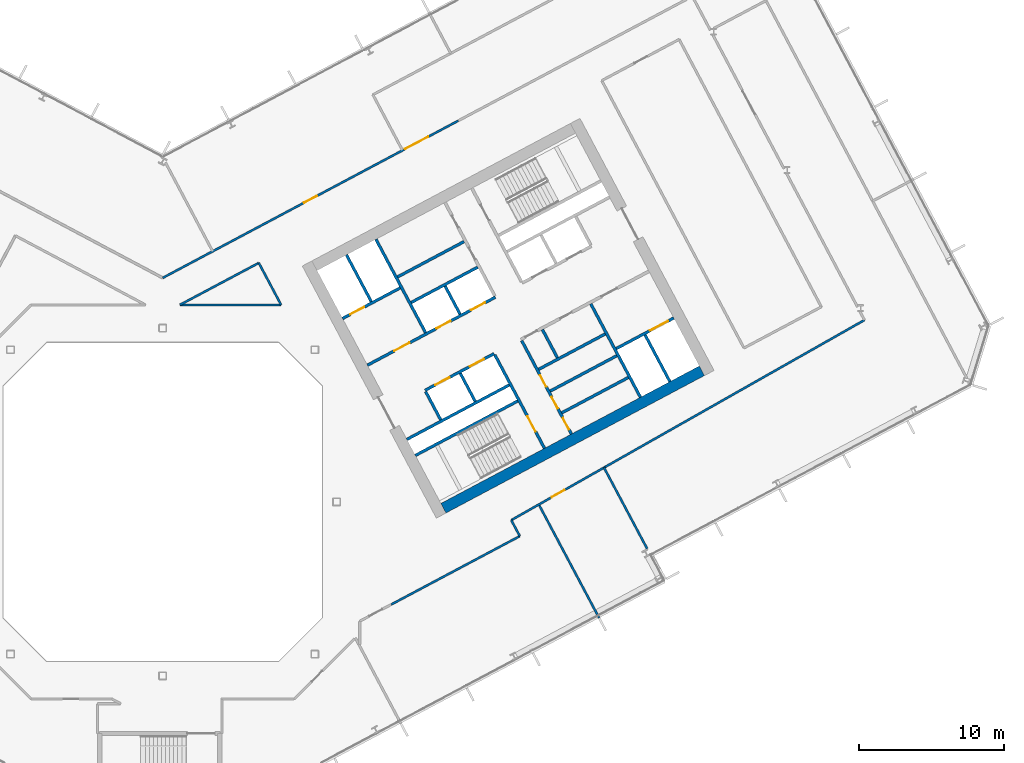
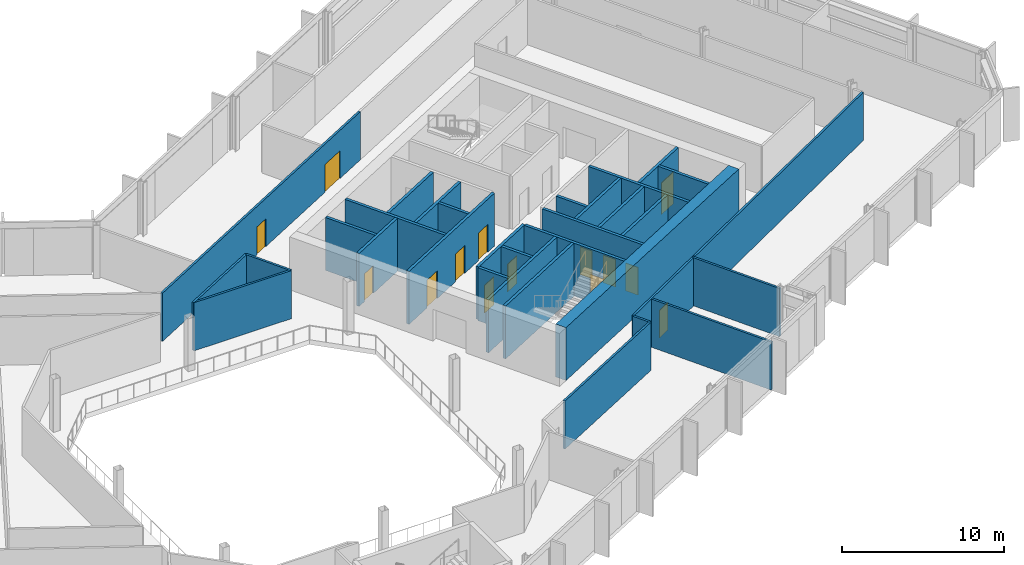
# One storey, part 16 of 28: 32 walls, 14 doors, 14 openings.
"""IFC4 building model written with IfcOpenShell, lengths in metres."""

from ifc_helpers import new_model, si_unit, direction, frame, frame_2d, origin, place, context, subcontext, project, spatial, rectangle, extrude, material, layer, layer_set, type_object, element, fill, save


model = new_model("IFC4")

# Units and contexts
model_context = context("Model", 3, precision=1e-05, world=origin(), true_north=direction((0.0, 1.0)))
body_context = subcontext(model_context, "Body", "Model", "MODEL_VIEW")
ifc_project = project(units=[si_unit("LENGTHUNIT", "METRE"), si_unit("AREAUNIT", "SQUARE_METRE"), si_unit("VOLUMEUNIT", "CUBIC_METRE"), si_unit("PLANEANGLEUNIT", "RADIAN"), si_unit("MASSUNIT", "GRAM", prefix="KILO")], contexts=[model_context])

# Site, building, storey
site_placement = place(None, origin())
site = spatial("IfcSite", under=ifc_project, at=site_placement, CompositionType="ELEMENT")
building_placement = place(site_placement, origin())
building = spatial("IfcBuilding", under=site, at=building_placement, Name="Cormorant Relay Tower", CompositionType="ELEMENT")
storey_placement = place(building_placement, frame((0.0, 0.0, 150.199951171875)))
storey = spatial("IfcBuildingStorey", under=building, at=storey_placement, Name="L31", CompositionType="ELEMENT", Elevation=150.199951171875)

# Walls
ifc_material_1 = material(Name="Concrete 40 MPa", Category="concrete")
ifc_layer_1 = layer(ifc_material_1, 0.199951171875)
ifc_layer_set_1 = layer_set([ifc_layer_1], Name="Core internal wall 200")
wall_type_1 = type_object("IfcWallType", Name="Core internal wall 200", PredefinedType="SOLIDWALL", material=ifc_layer_set_1)
for number, where, z_axis, x_axis, name in (
    (1, (21.567626953125, 6.9375, 0.0), (0.0, 0.0, 1.0), (-0.469533832133, 0.882914480843, 0.0), "L31 core B shaft and room wall"),
    (2, (20.522216796875, 12.950439453125, 0.0), (0.0, 0.0, 1.0), (-0.469401318492, 0.882984938828, 0.0), "L31 core B shaft and room wall"),
    (3, (27.236083984375, 9.951416015625, 0.0), (0.0, 0.0, 1.0), (-0.4694473164, 0.882960484464, 0.0), "L31 core B shaft and room wall"),
):
    element("IfcWall", number, at=place(storey_placement, frame(where, z_axis=z_axis, x_axis=x_axis)), inside=storey, type_object=wall_type_1, Name=name, PredefinedType="SOLIDWALL", context=body_context, shape_type="SweptSolid", body=[
        extrude(rectangle(XDim=2.199951171875, YDim=0.199951171875, at=frame_2d((1.10009765625, 0.0))), origin(), (0.0, 0.0, 1.0), 4.0),
    ])
for number, where, z_axis, x_axis, name in (
    (4, (27.537109375, 6.1474609375, 0.0), (0.0, 0.0, 1.0), (0.882934506056, 0.469496174655, 0.0), "L31 core B shaft and room wall"),
    (5, (26.739013671875, 7.6484375, 0.0), (0.0, 0.0, 1.0), (0.882934506056, 0.469496174655, 0.0), "L31 core B shaft and room wall"),
    (6, (16.2080078125, 15.526611328125, 0.0), (0.0, 0.0, 1.0), (0.882953967957, 0.469459572775, 0.0), "L31 core B shaft and room wall"),
):
    element("IfcWall", number, at=place(storey_placement, frame(where, z_axis=z_axis, x_axis=x_axis)), inside=storey, type_object=wall_type_1, Name=name, PredefinedType="SOLIDWALL", context=body_context, shape_type="SweptSolid", body=[
        extrude(rectangle(XDim=5.199951171875, YDim=0.199951171875, at=frame_2d((2.60009765625, 0.0))), origin(), (0.0, 0.0, 1.0), 4.0),
    ])
ifc_material_2 = material(Name="Concrete 50 MPa", Category="concrete")
ifc_layer_2 = layer(ifc_material_2, 0.199951171875)
ifc_layer_set_2 = layer_set([ifc_layer_2], Name="Core shaft wall 200")
wall_type_2 = type_object("IfcWallType", Name="Core shaft wall 200", PredefinedType="SHEAR", material=ifc_layer_set_2)
wall_1_placement = place(storey_placement, frame((14.39404296875, 13.825927734375, 0.0), z_axis=(0.0, 0.0, 1.0), x_axis=(-0.469494272526, 0.882935517501, 0.0)))
element("IfcWall", 7, at=wall_1_placement, inside=storey, type_object=wall_type_2, Name="L31 core B shaft wall", PredefinedType="SHEAR", context=body_context, shape_type="SweptSolid", body=[
    extrude(rectangle(XDim=3.64990234375, YDim=0.199951171875, at=frame_2d((1.824951171875, 0.0))), origin(), (0.0, 0.0, 1.0), 4.0),
])
wall_2_placement = place(storey_placement, frame((19.18359375, 5.669921875, 0.0), z_axis=(0.0, 0.0, 1.0), x_axis=(-0.4694473164, 0.882960484464, 0.0)))
element("IfcWall", 8, at=wall_2_placement, inside=storey, type_object=wall_type_2, Name="L31 core B shaft wall", PredefinedType="SHEAR", context=body_context, shape_type="SweptSolid", body=[
    extrude(rectangle(XDim=2.199951171875, YDim=0.199951171875, at=frame_2d((1.10009765625, 0.0))), origin(), (0.0, 0.0, 1.0), 4.0),
])
wall_3_placement = place(storey_placement, frame((18.138427734375, 11.682861328125, 0.0), z_axis=(0.0, 0.0, 1.0), x_axis=(-0.469480409012, 0.88294288918, 0.0)))
element("IfcWall", 9, at=wall_3_placement, inside=storey, type_object=wall_type_2, Name="L31 core B shaft wall", PredefinedType="SHEAR", context=body_context, shape_type="SweptSolid", body=[
    extrude(rectangle(XDim=7.300048828125, YDim=0.199951171875, at=frame_2d((3.64990234375, 0.0))), origin(), (0.0, 0.0, 1.0), 4.0),
])

# Wall, opening, door
wall_4_placement = place(storey_placement, frame((26.345947265625, 3.701904296875, 0.0), z_axis=(0.0, 0.0, 1.0), x_axis=(-0.469480409012, 0.88294288918, 0.0)))
wall_4 = element("IfcWall", 10, at=wall_4_placement, inside=storey, type_object=wall_type_2, Name="L31 core B shaft wall", PredefinedType="SHEAR", context=body_context, shape_type="SweptSolid", body=[
    extrude(rectangle(XDim=7.300048828125, YDim=0.199951171875, at=frame_2d((3.64990234375, 0.0))), origin(), (0.0, 0.0, 1.0), 4.0),
])
opening_1_placement = place(wall_4_placement, frame((1.300048828125, 0.0, 0.0)))
opening_1 = element("IfcOpeningElement", 11, at=opening_1_placement, cuts=wall_4, Name="Opening CDB-036", PredefinedType="OPENING", context=body_context, shape_type="SweptSolid", body=[
    extrude(rectangle(XDim=1.199951171875, YDim=2.10009765625, at=frame_2d((0.60009765625, 1.050048828125))), frame((0.0, 0.10986328125, 0.0), z_axis=(0.0, -1.0, 0.0), x_axis=(1.0, 0.0, 0.0)), (0.0, 0.0, 1.0), 0.219970703125),
])
ifc_material_3 = material(Name="Steel fire door", Category="steel")
door_type_1 = type_object("IfcDoorType", Name="Core stair door 1200x2100", OperationType="SINGLE_SWING_LEFT", PredefinedType="DOOR", material=ifc_material_3)
door_1_placement = place(opening_1_placement, origin())
door_1 = element("IfcDoor", 12, at=door_1_placement, inside=storey, type_object=door_type_1, Name="Core stair door 1200x2100", OperationType="SINGLE_SWING_RIGHT", OverallHeight=2.10009765625, OverallWidth=1.199951171875, PredefinedType="DOOR", context=body_context, shape_type="SweptSolid", body=[
    extrude(rectangle(XDim=1.199951171875, YDim=2.10009765625, at=frame_2d((0.60009765625, 1.050048828125))), frame((0.0, 0.02490234375, 0.0), z_axis=(0.0, -1.0, 0.0), x_axis=(1.0, 0.0, 0.0)), (0.0, 0.0, 1.0), 0.050048828125),
])
fill(opening_1, door_1)

# Wall, openings, doors
wall_5_placement = place(storey_placement, frame((28.199951171875, 4.687744140625, 0.0), z_axis=(0.0, 0.0, 1.0), x_axis=(-0.469454336211, 0.882956752176, 0.0)))
wall_5 = element("IfcWall", 13, at=wall_5_placement, inside=storey, type_object=wall_type_2, Name="L31 core B shaft wall", PredefinedType="SHEAR", context=body_context, shape_type="SweptSolid", body=[
    extrude(rectangle(XDim=7.300048828125, YDim=0.199951171875, at=frame_2d((3.64990234375, 0.0))), origin(), (0.0, 0.0, 1.0), 4.0),
])
opening_2_placement = place(wall_5_placement, frame((0.35009765625, 0.0, 0.0)))
opening_2 = element("IfcOpeningElement", 14, at=opening_2_placement, cuts=wall_5, Name="Opening CDD-203", PredefinedType="OPENING", context=body_context, shape_type="SweptSolid", body=[
    extrude(rectangle(XDim=0.89990234375, YDim=2.10009765625, at=frame_2d((0.449951171875, 1.050048828125))), frame((0.0, 0.10986328125, 0.0), z_axis=(0.0, -1.0, 0.0), x_axis=(1.0, 0.0, 0.0)), (0.0, 0.0, 1.0), 0.219970703125),
])
opening_3_placement = place(wall_5_placement, frame((2.0, 0.0, 0.0)))
opening_3 = element("IfcOpeningElement", 15, at=opening_3_placement, cuts=wall_5, Name="Opening CDD-204", PredefinedType="OPENING", context=body_context, shape_type="SweptSolid", body=[
    extrude(rectangle(XDim=0.89990234375, YDim=2.10009765625, at=frame_2d((0.449951171875, 1.050048828125))), frame((0.0, 0.10986328125, 0.0), z_axis=(0.0, -1.0, 0.0), x_axis=(1.0, 0.0, 0.0)), (0.0, 0.0, 1.0), 0.219970703125),
])
opening_4_placement = place(wall_5_placement, frame((3.699951171875, 0.0, 0.0)))
opening_4 = element("IfcOpeningElement", 16, at=opening_4_placement, cuts=wall_5, Name="Opening CDD-205", PredefinedType="OPENING", context=body_context, shape_type="SweptSolid", body=[
    extrude(rectangle(XDim=0.89990234375, YDim=2.10009765625, at=frame_2d((0.449951171875, 1.050048828125))), frame((0.0, 0.10986328125, 0.0), z_axis=(0.0, -1.0, 0.0), x_axis=(1.0, 0.0, 0.0)), (0.0, 0.0, 1.0), 0.219970703125),
])
ifc_material_4 = material(Name="Steel fire door", Category="steel")
door_type_2 = type_object("IfcDoorType", Name="Core room door 900x2100", OperationType="SINGLE_SWING_LEFT", PredefinedType="DOOR", material=ifc_material_4)
door_2_placement = place(opening_2_placement, frame((0.89990234375, 0.0, 0.0), z_axis=(0.0, 0.0, 1.0), x_axis=(-1.0, 0.0, 0.0)))
door_2 = element("IfcDoor", 17, at=door_2_placement, inside=storey, type_object=door_type_2, Name="Core room door 900x2100", OperationType="SINGLE_SWING_LEFT", OverallHeight=2.10009765625, OverallWidth=0.89990234375, PredefinedType="DOOR", context=body_context, shape_type="SweptSolid", body=[
    extrude(rectangle(XDim=0.89990234375, YDim=2.10009765625, at=frame_2d((0.449951171875, 1.050048828125))), frame((0.0, 0.02490234375, 0.0), z_axis=(0.0, -1.0, 0.0), x_axis=(1.0, 0.0, 0.0)), (0.0, 0.0, 1.0), 0.050048828125),
])
fill(opening_2, door_2)
door_3_placement = place(opening_3_placement, frame((0.89990234375, 0.0, 0.0), z_axis=(0.0, 0.0, 1.0), x_axis=(-1.0, 0.0, 0.0)))
door_3 = element("IfcDoor", 18, at=door_3_placement, inside=storey, type_object=door_type_2, Name="Core room door 900x2100", OperationType="SINGLE_SWING_LEFT", OverallHeight=2.10009765625, OverallWidth=0.89990234375, PredefinedType="DOOR", context=body_context, shape_type="SweptSolid", body=[
    extrude(rectangle(XDim=0.89990234375, YDim=2.10009765625, at=frame_2d((0.449951171875, 1.050048828125))), frame((0.0, 0.02490234375, 0.0), z_axis=(0.0, -1.0, 0.0), x_axis=(1.0, 0.0, 0.0)), (0.0, 0.0, 1.0), 0.050048828125),
])
fill(opening_3, door_3)
door_4_placement = place(opening_4_placement, frame((0.89990234375, 0.0, 0.0), z_axis=(0.0, 0.0, 1.0), x_axis=(-1.0, 0.0, 0.0)))
door_4 = element("IfcDoor", 19, at=door_4_placement, inside=storey, type_object=door_type_2, Name="Core room door 900x2100", OperationType="SINGLE_SWING_LEFT", OverallHeight=2.10009765625, OverallWidth=0.89990234375, PredefinedType="DOOR", context=body_context, shape_type="SweptSolid", body=[
    extrude(rectangle(XDim=0.89990234375, YDim=2.10009765625, at=frame_2d((0.449951171875, 1.050048828125))), frame((0.0, 0.02490234375, 0.0), z_axis=(0.0, -1.0, 0.0), x_axis=(1.0, 0.0, 0.0)), (0.0, 0.0, 1.0), 0.050048828125),
])
fill(opening_4, door_4)

# Walls
wall_6_placement = place(storey_placement, frame((32.968017578125, 7.222900390625, 0.0), z_axis=(0.0, 0.0, 1.0), x_axis=(-0.469480409012, 0.88294288918, 0.0)))
element("IfcWall", 20, at=wall_6_placement, inside=storey, type_object=wall_type_2, Name="L31 core B shaft wall", PredefinedType="SHEAR", context=body_context, shape_type="SweptSolid", body=[
    extrude(rectangle(XDim=7.300048828125, YDim=0.199951171875, at=frame_2d((3.64990234375, 0.0))), origin(), (0.0, 0.0, 1.0), 4.0),
])
wall_7_placement = place(storey_placement, frame((34.998779296875, 8.302734375, 0.0), z_axis=(0.0, 0.0, 1.0), x_axis=(-0.4694665462, 0.882950260207, 0.0)))
element("IfcWall", 21, at=wall_7_placement, inside=storey, type_object=wall_type_2, Name="L31 core B shaft wall", PredefinedType="SHEAR", context=body_context, shape_type="SweptSolid", body=[
    extrude(rectangle(XDim=3.650146484375, YDim=0.199951171875, at=frame_2d((1.8251953125, 0.0))), origin(), (0.0, 0.0, 1.0), 4.0),
])
wall_8_placement = place(storey_placement, frame((17.43359375, 3.210205078125, 0.0), z_axis=(0.0, 0.0, 1.0), x_axis=(0.882940221191, 0.469485426614, 0.0)))
element("IfcWall", 22, at=wall_8_placement, inside=storey, type_object=wall_type_2, Name="L31 core B shaft wall", PredefinedType="SHEAR", context=body_context, shape_type="SweptSolid", body=[
    extrude(rectangle(XDim=8.0, YDim=0.199951171875, at=frame_2d((4.0, 0.0))), origin(), (0.0, 0.0, 1.0), 4.0),
])

# Wall, opening, door
wall_9_placement = place(storey_placement, frame((31.295654296875, 10.5810546875, 0.0), z_axis=(0.0, 0.0, 1.0), x_axis=(0.882960433586, 0.469447412093, 0.0)))
wall_9 = element("IfcWall", 23, at=wall_9_placement, inside=storey, type_object=wall_type_2, Name="L31 core B shaft wall", PredefinedType="SHEAR", context=body_context, shape_type="SweptSolid", body=[
    extrude(rectangle(XDim=4.5, YDim=0.199951171875, at=frame_2d((2.25, 0.0))), origin(), (0.0, 0.0, 1.0), 4.0),
])
opening_5_placement = place(wall_9_placement, frame((2.64990234375, 0.0, 0.0)))
opening_5 = element("IfcOpeningElement", 24, at=opening_5_placement, cuts=wall_9, Name="Opening LD3-014", PredefinedType="OPENING", context=body_context, shape_type="SweptSolid", body=[
    extrude(rectangle(XDim=1.39990234375, YDim=2.39990234375, at=frame_2d((0.699951171875, 1.199951171875))), frame((0.0, 0.10986328125, 0.0), z_axis=(0.0, -1.0, 0.0), x_axis=(1.0, 0.0, 0.0)), (0.0, 0.0, 1.0), 0.219970703125),
])
ifc_material_5 = material(Name="Stainless steel 316", Category="steel")
door_type_3 = type_object("IfcDoorType", Name="Lift landing door 1400x2400", OperationType="DOUBLE_DOOR_SLIDING", PredefinedType="DOOR", material=ifc_material_5)
door_5_placement = place(opening_5_placement, origin())
door_5 = element("IfcDoor", 25, at=door_5_placement, inside=storey, type_object=door_type_3, Name="SV2 landing door", OperationType="DOUBLE_DOOR_SLIDING", OverallHeight=2.39990234375, OverallWidth=1.39990234375, PredefinedType="DOOR", context=body_context, shape_type="SweptSolid", body=[
    extrude(rectangle(XDim=1.39990234375, YDim=2.39990234375, at=frame_2d((0.699951171875, 1.199951171875))), frame((0.0, 0.02490234375, 0.0), z_axis=(0.0, -1.0, 0.0), x_axis=(1.0, 0.0, 0.0)), (0.0, 0.0, 1.0), 0.050048828125),
])
fill(opening_5, door_5)

# Walls
wall_10_placement = place(storey_placement, frame((16.8466796875, 4.31396484375, 0.0), z_axis=(0.0, 0.0, 1.0), x_axis=(0.882940221191, 0.469485426614, 0.0)))
element("IfcWall", 26, at=wall_10_placement, inside=storey, type_object=wall_type_2, Name="L31 core B shaft wall", PredefinedType="SHEAR", context=body_context, shape_type="SweptSolid", body=[
    extrude(rectangle(XDim=8.0, YDim=0.199951171875, at=frame_2d((4.0, 0.0))), origin(), (0.0, 0.0, 1.0), 4.0),
])
wall_11_placement = place(storey_placement, frame((25.94091796875, 9.149658203125, 0.0), z_axis=(0.0, 0.0, 1.0), x_axis=(0.882953967957, 0.469459572775, 0.0)))
element("IfcWall", 27, at=wall_11_placement, inside=storey, type_object=wall_type_2, Name="L31 core B shaft wall", PredefinedType="SHEAR", context=body_context, shape_type="SweptSolid", body=[
    extrude(rectangle(XDim=5.199951171875, YDim=0.199951171875, at=frame_2d((2.60009765625, 0.0))), origin(), (0.0, 0.0, 1.0), 4.0),
])

# Wall, openings, doors
wall_12_placement = place(storey_placement, frame((18.103759765625, 7.70068359375, 0.0), z_axis=(0.0, 0.0, 1.0), x_axis=(0.882952937579, 0.469461510692, 0.0)))
wall_12 = element("IfcWall", 28, at=wall_12_placement, inside=storey, type_object=wall_type_2, Name="L31 core B shaft wall", PredefinedType="SHEAR", context=body_context, shape_type="SweptSolid", body=[
    extrude(rectangle(XDim=5.400146484375, YDim=0.199951171875, at=frame_2d((2.7001953125, 0.0))), origin(), (0.0, 0.0, 1.0), 4.0),
])
opening_6_placement = place(wall_12_placement, frame((0.800048828125, 0.0, 0.0)))
opening_6 = element("IfcOpeningElement", 29, at=opening_6_placement, cuts=wall_12, Name="Opening LD1-048", PredefinedType="OPENING", context=body_context, shape_type="SweptSolid", body=[
    extrude(rectangle(XDim=1.10009765625, YDim=2.10009765625, at=frame_2d((0.550048828125, 1.050048828125))), frame((0.0, 0.10986328125, 0.0), z_axis=(0.0, -1.0, 0.0), x_axis=(1.0, 0.0, 0.0)), (0.0, 0.0, 1.0), 0.219970703125),
])
opening_7_placement = place(wall_12_placement, frame((3.5, 0.0, 0.0)))
opening_7 = element("IfcOpeningElement", 30, at=opening_7_placement, cuts=wall_12, Name="Opening LD1-049", PredefinedType="OPENING", context=body_context, shape_type="SweptSolid", body=[
    extrude(rectangle(XDim=1.10009765625, YDim=2.10009765625, at=frame_2d((0.550048828125, 1.050048828125))), frame((0.0, 0.10986328125, 0.0), z_axis=(0.0, -1.0, 0.0), x_axis=(1.0, 0.0, 0.0)), (0.0, 0.0, 1.0), 0.219970703125),
])
ifc_material_6 = material(Name="Stainless steel 316", Category="steel")
door_type_4 = type_object("IfcDoorType", Name="Lift landing door 1100x2100", OperationType="DOUBLE_DOOR_SLIDING", PredefinedType="DOOR", material=ifc_material_6)
door_6_placement = place(opening_6_placement, origin())
door_6 = element("IfcDoor", 31, at=door_6_placement, inside=storey, type_object=door_type_4, Name="LR5 landing door", OperationType="DOUBLE_DOOR_SLIDING", OverallHeight=2.10009765625, OverallWidth=1.10009765625, PredefinedType="DOOR", context=body_context, shape_type="SweptSolid", body=[
    extrude(rectangle(XDim=1.10009765625, YDim=2.10009765625, at=frame_2d((0.550048828125, 1.050048828125))), frame((0.0, 0.02490234375, 0.0), z_axis=(0.0, -1.0, 0.0), x_axis=(1.0, 0.0, 0.0)), (0.0, 0.0, 1.0), 0.050048828125),
])
fill(opening_6, door_6)
door_7_placement = place(opening_7_placement, origin())
door_7 = element("IfcDoor", 32, at=door_7_placement, inside=storey, type_object=door_type_4, Name="LR6 landing door", OperationType="DOUBLE_DOOR_SLIDING", OverallHeight=2.10009765625, OverallWidth=1.10009765625, PredefinedType="DOOR", context=body_context, shape_type="SweptSolid", body=[
    extrude(rectangle(XDim=1.10009765625, YDim=2.10009765625, at=frame_2d((0.550048828125, 1.050048828125))), frame((0.0, 0.02490234375, 0.0), z_axis=(0.0, -1.0, 0.0), x_axis=(1.0, 0.0, 0.0)), (0.0, 0.0, 1.0), 0.050048828125),
])
fill(opening_7, door_7)

wall_13_placement = place(storey_placement, frame((14.123779296875, 9.43505859375, 0.0), z_axis=(0.0, 0.0, 1.0), x_axis=(0.882940221191, 0.469485426614, 0.0)))
wall_13 = element("IfcWall", 33, at=wall_13_placement, inside=storey, type_object=wall_type_2, Name="L31 core B shaft wall", PredefinedType="SHEAR", context=body_context, shape_type="SweptSolid", body=[
    extrude(rectangle(XDim=10.0, YDim=0.199951171875, at=frame_2d((5.0, 0.0))), origin(), (0.0, 0.0, 1.0), 4.0),
])
opening_8_placement = place(wall_13_placement, frame((2.10009765625, 0.0, 0.0)))
opening_8 = element("IfcOpeningElement", 34, at=opening_8_placement, cuts=wall_13, Name="Opening CDC-027", PredefinedType="OPENING", context=body_context, shape_type="SweptSolid", body=[
    extrude(rectangle(XDim=1.199951171875, YDim=2.10009765625, at=frame_2d((0.60009765625, 1.050048828125))), frame((0.0, 0.10986328125, 0.0), z_axis=(0.0, -1.0, 0.0), x_axis=(1.0, 0.0, 0.0)), (0.0, 0.0, 1.0), 0.219970703125),
])
opening_9_placement = place(wall_13_placement, frame((5.39990234375, 0.0, 0.0)))
opening_9 = element("IfcOpeningElement", 35, at=opening_9_placement, cuts=wall_13, Name="Opening LD1-044", PredefinedType="OPENING", context=body_context, shape_type="SweptSolid", body=[
    extrude(rectangle(XDim=1.10009765625, YDim=2.10009765625, at=frame_2d((0.550048828125, 1.050048828125))), frame((0.0, 0.10986328125, 0.0), z_axis=(0.0, -1.0, 0.0), x_axis=(1.0, 0.0, 0.0)), (0.0, 0.0, 1.0), 0.219970703125),
])
opening_10_placement = place(wall_13_placement, frame((8.10009765625, 0.0, 0.0)))
opening_10 = element("IfcOpeningElement", 36, at=opening_10_placement, cuts=wall_13, Name="Opening LD1-045", PredefinedType="OPENING", context=body_context, shape_type="SweptSolid", body=[
    extrude(rectangle(XDim=1.10009765625, YDim=2.10009765625, at=frame_2d((0.550048828125, 1.050048828125))), frame((0.0, 0.10986328125, 0.0), z_axis=(0.0, -1.0, 0.0), x_axis=(1.0, 0.0, 0.0)), (0.0, 0.0, 1.0), 0.219970703125),
])
ifc_material_7 = material(Name="Steel fire door", Category="steel")
door_type_5 = type_object("IfcDoorType", Name="Core lobby door 1200x2100", OperationType="SINGLE_SWING_LEFT", PredefinedType="DOOR", material=ifc_material_7)
door_8_placement = place(opening_8_placement, origin())
door_8 = element("IfcDoor", 37, at=door_8_placement, inside=storey, type_object=door_type_5, Name="Core lobby door 1200x2100", OperationType="SINGLE_SWING_RIGHT", OverallHeight=2.10009765625, OverallWidth=1.199951171875, PredefinedType="DOOR", context=body_context, shape_type="SweptSolid", body=[
    extrude(rectangle(XDim=1.199951171875, YDim=2.10009765625, at=frame_2d((0.60009765625, 1.050048828125))), frame((0.0, 0.02490234375, 0.0), z_axis=(0.0, -1.0, 0.0), x_axis=(1.0, 0.0, 0.0)), (0.0, 0.0, 1.0), 0.050048828125),
])
fill(opening_8, door_8)
door_9_placement = place(opening_9_placement, origin())
door_9 = element("IfcDoor", 38, at=door_9_placement, inside=storey, type_object=door_type_4, Name="LR1 landing door", OperationType="DOUBLE_DOOR_SLIDING", OverallHeight=2.10009765625, OverallWidth=1.10009765625, PredefinedType="DOOR", context=body_context, shape_type="SweptSolid", body=[
    extrude(rectangle(XDim=1.10009765625, YDim=2.10009765625, at=frame_2d((0.550048828125, 1.050048828125))), frame((0.0, 0.02490234375, 0.0), z_axis=(0.0, -1.0, 0.0), x_axis=(1.0, 0.0, 0.0)), (0.0, 0.0, 1.0), 0.050048828125),
])
fill(opening_9, door_9)
door_10_placement = place(opening_10_placement, origin())
door_10 = element("IfcDoor", 39, at=door_10_placement, inside=storey, type_object=door_type_4, Name="LR2 landing door", OperationType="DOUBLE_DOOR_SLIDING", OverallHeight=2.10009765625, OverallWidth=1.10009765625, PredefinedType="DOOR", context=body_context, shape_type="SweptSolid", body=[
    extrude(rectangle(XDim=1.10009765625, YDim=2.10009765625, at=frame_2d((0.550048828125, 1.050048828125))), frame((0.0, 0.02490234375, 0.0), z_axis=(0.0, -1.0, 0.0), x_axis=(1.0, 0.0, 0.0)), (0.0, 0.0, 1.0), 0.050048828125),
])
fill(opening_10, door_10)

# Wall
wall_14_placement = place(storey_placement, frame((17.146728515625, 13.7607421875, 0.0), z_axis=(0.0, 0.0, 1.0), x_axis=(0.882964314875, 0.469440111896, 0.0)))
element("IfcWall", 40, at=wall_14_placement, inside=storey, type_object=wall_type_2, Name="L31 core B shaft wall", PredefinedType="SHEAR", context=body_context, shape_type="SweptSolid", body=[
    extrude(rectangle(XDim=5.2001953125, YDim=0.199951171875, at=frame_2d((2.60009765625, 0.0))), origin(), (0.0, 0.0, 1.0), 4.0),
])

# Wall, opening, door
wall_15_placement = place(storey_placement, frame((12.41015625, 12.657958984375, 0.0), z_axis=(0.0, 0.0, 1.0), x_axis=(0.8829484765, 0.469469900894, 0.0)))
wall_15 = element("IfcWall", 41, at=wall_15_placement, inside=storey, type_object=wall_type_2, Name="L31 core B shaft wall", PredefinedType="SHEAR", context=body_context, shape_type="SweptSolid", body=[
    extrude(rectangle(XDim=4.499755859375, YDim=0.199951171875, at=frame_2d((2.25, 0.0))), origin(), (0.0, 0.0, 1.0), 4.0),
])
opening_11_placement = place(wall_15_placement, frame((0.60009765625, 0.0, 0.0)))
opening_11 = element("IfcOpeningElement", 42, at=opening_11_placement, cuts=wall_15, Name="Opening LD1-050", PredefinedType="OPENING", context=body_context, shape_type="SweptSolid", body=[
    extrude(rectangle(XDim=1.10009765625, YDim=2.10009765625, at=frame_2d((0.550048828125, 1.050048828125))), frame((0.0, 0.10986328125, 0.0), z_axis=(0.0, -1.0, 0.0), x_axis=(1.0, 0.0, 0.0)), (0.0, 0.0, 1.0), 0.219970703125),
])
door_11_placement = place(opening_11_placement, origin())
door_11 = element("IfcDoor", 43, at=door_11_placement, inside=storey, type_object=door_type_4, Name="FF2 landing door", OperationType="DOUBLE_DOOR_SLIDING", OverallHeight=2.10009765625, OverallWidth=1.10009765625, PredefinedType="DOOR", context=body_context, shape_type="SweptSolid", body=[
    extrude(rectangle(XDim=1.10009765625, YDim=2.10009765625, at=frame_2d((0.550048828125, 1.050048828125))), frame((0.0, 0.02490234375, 0.0), z_axis=(0.0, -1.0, 0.0), x_axis=(1.0, 0.0, 0.0)), (0.0, 0.0, 1.0), 0.050048828125),
])
fill(opening_11, door_11)

# Wall
ifc_material_8 = material(Name="Concrete 60 MPa", Category="concrete")
ifc_layer_3 = layer(ifc_material_8, 0.75)
ifc_layer_set_3 = layer_set([ifc_layer_3], Name="Core wall 750")
wall_type_3 = type_object("IfcWallType", Name="Core wall 750", PredefinedType="SHEAR", material=ifc_layer_set_3)
wall_16_placement = place(storey_placement, frame((19.3701171875, -0.431884765625, 0.0), z_axis=(0.0, 0.0, 1.0), x_axis=(0.88294509198, 0.469476266226, 0.0)))
element("IfcWall", 44, at=wall_16_placement, inside=storey, type_object=wall_type_3, Name="L31 core B wall", PredefinedType="SHEAR", context=body_context, shape_type="SweptSolid", body=[
    extrude(rectangle(XDim=20.199951171875, YDim=0.75, at=frame_2d((10.10009765625, 0.0))), origin(), (0.0, 0.0, 1.0), 4.0),
])

# Wall, openings, doors
ifc_material_9 = material(Name="Gypsum board fire partition")
ifc_layer_4 = layer(ifc_material_9, 0.14990234375)
ifc_layer_set_4 = layer_set([ifc_layer_4], Name="Corridor partition 150 EI 60")
wall_type_4 = type_object("IfcWallType", Name="Corridor partition 150 EI 60", PredefinedType="PARTITIONING", material=ifc_layer_set_4)
wall_17_placement = place(storey_placement, frame((0.0, 15.4599609375, 0.0), z_axis=(0.0, 0.0, 1.0), x_axis=(0.882944798935, 0.469476817355, 0.0)))
wall_17 = element("IfcWall", 45, at=wall_17_placement, inside=storey, type_object=wall_type_4, Name="wall/L31/part/033", PredefinedType="PARTITIONING", context=body_context, shape_type="SweptSolid", body=[
    extrude(rectangle(XDim=23.10693359375, YDim=0.14990234375, at=frame_2d((11.553466796875, 0.0))), origin(), (0.0, 0.0, 1.0), 3.64013671875),
])
opening_12_placement = place(wall_17_placement, frame((18.949951171875, 0.0, 0.0)))
opening_12 = element("IfcOpeningElement", 46, at=opening_12_placement, cuts=wall_17, Name="Opening DD-011", PredefinedType="OPENING", context=body_context, shape_type="SweptSolid", body=[
    extrude(rectangle(XDim=1.800048828125, YDim=2.10009765625, at=frame_2d((0.89990234375, 1.050048828125))), frame((0.0, 0.0849609375, 0.0), z_axis=(0.0, -1.0, 0.0), x_axis=(1.0, 0.0, 0.0)), (0.0, 0.0, 1.0), 0.169921875),
])
opening_13_placement = place(wall_17_placement, frame((11.050048828125, 0.0, 0.0)))
opening_13 = element("IfcOpeningElement", 47, at=opening_13_placement, cuts=wall_17, Name="Opening DS-039", PredefinedType="OPENING", context=body_context, shape_type="SweptSolid", body=[
    extrude(rectangle(XDim=1.0, YDim=2.10009765625, at=frame_2d((0.5, 1.050048828125))), frame((0.0, 0.0849609375, 0.0), z_axis=(0.0, -1.0, 0.0), x_axis=(1.0, 0.0, 0.0)), (0.0, 0.0, 1.0), 0.169921875),
])
ifc_material_10 = material(Name="Timber door leaf", Category="wood")
door_type_6 = type_object("IfcDoorType", Name="Suite door 1000x2100", OperationType="SINGLE_SWING_LEFT", PredefinedType="DOOR", material=ifc_material_10)
door_12_placement = place(opening_13_placement, origin())
door_12 = element("IfcDoor", 48, at=door_12_placement, inside=storey, type_object=door_type_6, Name="door/L31/008", OperationType="SINGLE_SWING_LEFT", OverallHeight=2.10009765625, OverallWidth=1.0, PredefinedType="DOOR", context=body_context, shape_type="SweptSolid", body=[
    extrude(rectangle(XDim=1.0, YDim=2.10009765625, at=frame_2d((0.5, 1.050048828125))), frame((0.0, 0.02490234375, 0.0), z_axis=(0.0, -1.0, 0.0), x_axis=(1.0, 0.0, 0.0)), (0.0, 0.0, 1.0), 0.050048828125),
])
fill(opening_13, door_12)
ifc_material_11 = material(Name="Timber door leaf", Category="wood")
door_type_7 = type_object("IfcDoorType", Name="Suite double door 1800x2100", OperationType="DOUBLE_DOOR_SINGLE_SWING", PredefinedType="DOOR", material=ifc_material_11)
door_13_placement = place(opening_12_placement, origin())
door_13 = element("IfcDoor", 49, at=door_13_placement, inside=storey, type_object=door_type_7, Name="door/L31/007", OperationType="DOUBLE_DOOR_SINGLE_SWING", OverallHeight=2.10009765625, OverallWidth=1.800048828125, PredefinedType="DOOR", context=body_context, shape_type="SweptSolid", body=[
    extrude(rectangle(XDim=1.800048828125, YDim=2.10009765625, at=frame_2d((0.89990234375, 1.050048828125))), frame((0.0, 0.02490234375, 0.0), z_axis=(0.0, -1.0, 0.0), x_axis=(1.0, 0.0, 0.0)), (0.0, 0.0, 1.0), 0.050048828125),
])
fill(opening_12, door_13)

# Walls
wall_18_placement = place(storey_placement, frame((24.054931640625, -1.2548828125, 0.0), z_axis=(0.0, 0.0, 1.0), x_axis=(0.469279071809, -0.883049915216, 0.0)))
element("IfcWall", 50, at=wall_18_placement, inside=storey, type_object=wall_type_4, Name="wall/L31/part/050", PredefinedType="PARTITIONING", context=body_context, shape_type="SweptSolid", body=[
    extrude(rectangle(XDim=1.2490234375, YDim=0.14990234375, at=frame_2d((0.62451171875, 0.0))), origin(), (0.0, 0.0, 1.0), 3.64013671875),
])
wall_19_placement = place(storey_placement, frame((24.64111328125, -2.35791015625, 0.0), z_axis=(0.0, 0.0, 1.0), x_axis=(-0.882963445944, -0.469441746255, 0.0)))
element("IfcWall", 51, at=wall_19_placement, inside=storey, type_object=wall_type_4, Name="wall/L31/part/051", PredefinedType="PARTITIONING", context=body_context, shape_type="SweptSolid", body=[
    extrude(rectangle(XDim=10.05029296875, YDim=0.14990234375, at=frame_2d((5.025146484375, 0.0))), origin(), (0.0, 0.0, 1.0), 3.64013671875),
])

# Wall, opening, door
wall_20_placement = place(storey_placement, frame((30.5419921875, 2.422119140625, 0.0), z_axis=(0.0, 0.0, 1.0), x_axis=(-0.870052610738, -0.492958877136, 0.0)))
wall_20 = element("IfcWall", 52, at=wall_20_placement, inside=storey, type_object=wall_type_4, Name="wall/L31/part/059", PredefinedType="PARTITIONING", context=body_context, shape_type="SweptSolid", body=[
    extrude(rectangle(XDim=7.45703125, YDim=0.14990234375, at=frame_2d((3.728515625, 0.0))), origin(), (0.0, 0.0, 1.0), 3.64013671875),
])
opening_14_placement = place(wall_20_placement, frame((3.25, 0.0, 0.0)))
opening_14 = element("IfcOpeningElement", 53, at=opening_14_placement, cuts=wall_20, Name="Opening DS-038", PredefinedType="OPENING", context=body_context, shape_type="SweptSolid", body=[
    extrude(rectangle(XDim=1.0, YDim=2.10009765625, at=frame_2d((0.5, 1.050048828125))), frame((0.0, 0.0849609375, 0.0), z_axis=(0.0, -1.0, 0.0), x_axis=(1.0, 0.0, 0.0)), (0.0, 0.0, 1.0), 0.169921875),
])
door_14_placement = place(opening_14_placement, origin())
door_14 = element("IfcDoor", 54, at=door_14_placement, inside=storey, type_object=door_type_6, Name="door/L31/005", OperationType="SINGLE_SWING_RIGHT", OverallHeight=2.10009765625, OverallWidth=1.0, PredefinedType="DOOR", context=body_context, shape_type="SweptSolid", body=[
    extrude(rectangle(XDim=1.0, YDim=2.10009765625, at=frame_2d((0.5, 1.050048828125))), frame((0.0, 0.02490234375, 0.0), z_axis=(0.0, -1.0, 0.0), x_axis=(1.0, 0.0, 0.0)), (0.0, 0.0, 1.0), 0.050048828125),
])
fill(opening_14, door_14)

# Walls
wall_21_placement = place(storey_placement, frame((48.425048828125, 12.552978515625, 0.0), z_axis=(0.0, 0.0, 1.0), x_axis=(-0.870082130953, -0.492906771506, 0.0)))
element("IfcWall", 55, at=wall_21_placement, inside=storey, type_object=wall_type_4, Name="wall/L31/part/064", PredefinedType="PARTITIONING", context=body_context, shape_type="SweptSolid", body=[
    extrude(rectangle(XDim=20.55322265625, YDim=0.14990234375, at=frame_2d((10.276611328125, 0.0))), origin(), (0.0, 0.0, 1.0), 3.64013671875),
])
wall_22_placement = place(storey_placement, frame((1.18896484375, 13.60009765625, 0.0), z_axis=(0.0, 0.0, 1.0), x_axis=(1.0, 0.0, 0.0)))
element("IfcWall", 56, at=wall_22_placement, inside=storey, type_object=wall_type_4, Name="wall/L31/part/075", PredefinedType="PARTITIONING", context=body_context, shape_type="SweptSolid", body=[
    extrude(rectangle(XDim=6.983154296875, YDim=0.14990234375, at=frame_2d((3.49169921875, 0.0))), origin(), (0.0, 0.0, 1.0), 3.64013671875),
])
wall_23_placement = place(storey_placement, frame((8.172119140625, 13.60009765625, 0.0), z_axis=(0.0, 0.0, 1.0), x_axis=(-0.4694129048, 0.882978779364, 0.0)))
element("IfcWall", 57, at=wall_23_placement, inside=storey, type_object=wall_type_4, Name="wall/L31/part/076", PredefinedType="PARTITIONING", context=body_context, shape_type="SweptSolid", body=[
    extrude(rectangle(XDim=3.27880859375, YDim=0.14990234375, at=frame_2d((1.639404296875, 0.0))), origin(), (0.0, 0.0, 1.0), 3.64013671875),
])
wall_24_placement = place(storey_placement, frame((6.633056640625, 16.4951171875, 0.0), z_axis=(0.0, 0.0, 1.0), x_axis=(-0.882924427048, -0.469515128747, 0.0)))
element("IfcWall", 58, at=wall_24_placement, inside=storey, type_object=wall_type_4, Name="wall/L31/part/077", PredefinedType="PARTITIONING", context=body_context, shape_type="SweptSolid", body=[
    extrude(rectangle(XDim=6.166015625, YDim=0.14990234375, at=frame_2d((3.0830078125, 0.0))), origin(), (0.0, 0.0, 1.0), 3.64013671875),
])
ifc_material_12 = material(Name="Gypsum board partition")
ifc_layer_5 = layer(ifc_material_12, 0.14990234375)
ifc_layer_set_5 = layer_set([ifc_layer_5], Name="Tenant partition 150")
wall_type_5 = type_object("IfcWallType", Name="Tenant partition 150", PredefinedType="PARTITIONING", material=ifc_layer_set_5)
wall_25_placement = place(storey_placement, frame((25.955078125, -0.177001953125, 0.0), z_axis=(0.0, 0.0, 1.0), x_axis=(0.4693761959, -0.882998293726, 0.0)))
element("IfcWall", 59, at=wall_25_placement, inside=storey, type_object=wall_type_5, Name="wall/L31/part/058", PredefinedType="PARTITIONING", context=body_context, shape_type="SweptSolid", body=[
    extrude(rectangle(XDim=8.8583984375, YDim=0.14990234375, at=frame_2d((4.42919921875, 0.0))), origin(), (0.0, 0.0, 1.0), 3.64013671875),
])
wall_26_placement = place(storey_placement, frame((30.451904296875, 2.37109375, 0.0), z_axis=(0.0, 0.0, 1.0), x_axis=(0.469442025079, -0.882963297703, 0.0)))
element("IfcWall", 60, at=wall_26_placement, inside=storey, type_object=wall_type_5, Name="wall/L31/part/060", PredefinedType="PARTITIONING", context=body_context, shape_type="SweptSolid", body=[
    extrude(rectangle(XDim=6.347900390625, YDim=0.14990234375, at=frame_2d((3.173828125, 0.0))), origin(), (0.0, 0.0, 1.0), 3.64013671875),
])

save(model, "model.ifc")
